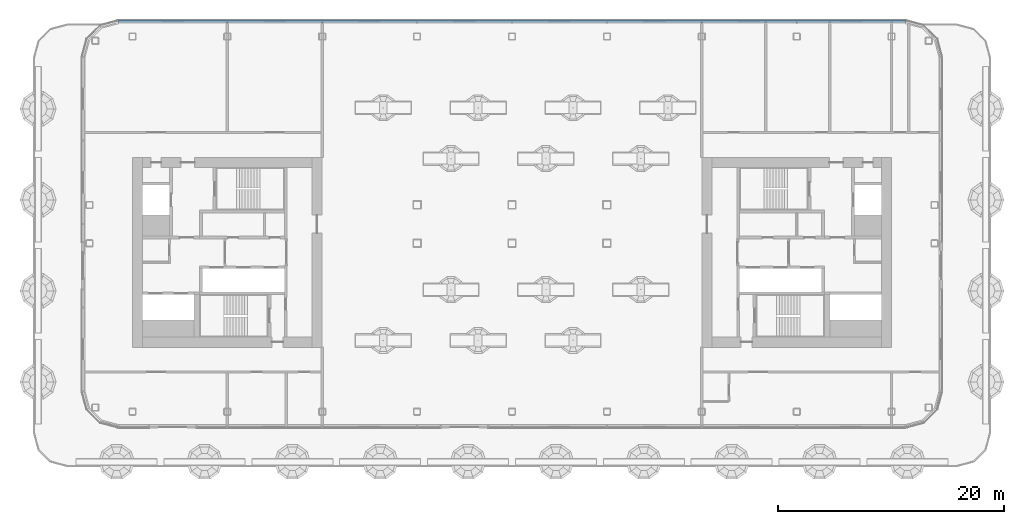
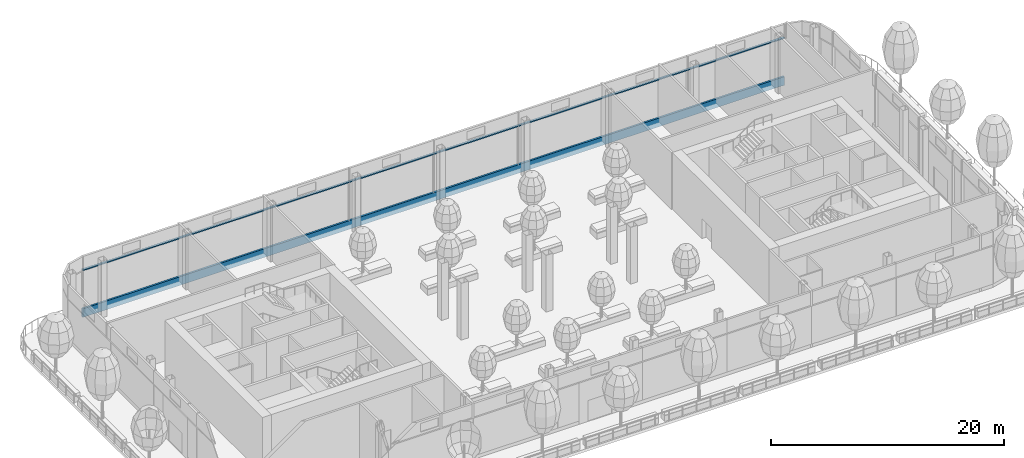
# One storey, part 6 of 41: 2 members, 1 element without a shape of its own.
"""IFC4 building model written with IfcOpenShell, lengths in metres."""

from ifc_helpers import new_model, si_unit, direction, frame, origin, origin_2d, place, context, subcontext, project, spatial, rectangle, extrude, material, layer, layer_set, material_profile, profile_set, type_object, element, aggregate, save


model = new_model("IFC4")

# Units and contexts
model_context = context("Model", 3, precision=1e-05, world=origin(), true_north=direction((0.0, 1.0)))
body_context = subcontext(model_context, "Body", "Model", "MODEL_VIEW")
ifc_project = project(units=[si_unit("LENGTHUNIT", "METRE"), si_unit("AREAUNIT", "SQUARE_METRE"), si_unit("VOLUMEUNIT", "CUBIC_METRE"), si_unit("PLANEANGLEUNIT", "RADIAN"), si_unit("MASSUNIT", "GRAM", prefix="KILO")], contexts=[model_context])

# Site, building, storey
site_placement = place(None, origin())
site = spatial("IfcSite", under=ifc_project, at=site_placement, CompositionType="ELEMENT")
building_placement = place(site_placement, origin())
building = spatial("IfcBuilding", under=site, at=building_placement, Name="Hakoniwa Tower and Hamabe Station Hall", CompositionType="ELEMENT")
storey_placement = place(building_placement, frame((0.0, 0.0, 180.199951171875)))
storey = spatial("IfcBuildingStorey", under=building, at=storey_placement, Name="L51", CompositionType="ELEMENT", Elevation=180.199951171875)

# Curtain wall, members
ifc_material_1 = material(Name="Dark low-e laminated glass", Category="glass")
ifc_layer = layer(ifc_material_1, 0.199951171875)
ifc_layer_set = layer_set([ifc_layer], Name="CW-2 SKY GARDEN")
curtain_wall_type = type_object("IfcCurtainWallType", Name="CW-2 SKY GARDEN", PredefinedType="NOTDEFINED", material=ifc_layer_set)
curtain_wall_placement = place(storey_placement, origin())
curtain_wall = element("IfcCurtainWall", 1, at=curtain_wall_placement, inside=storey, type_object=curtain_wall_type, Name="CW-2 curtain wall", PredefinedType="NOTDEFINED")
ifc_material_2 = material(Name="Aluminium 6063-T5 black anodised", Category="aluminium")
ifc_material_profile_1 = material_profile(ifc_material_2, rectangle(XDim=0.199951171875, YDim=0.1201171875, at=origin_2d()), Name="CW MID TRANSOM 120X200")
ifc_profile_set_1 = profile_set([ifc_material_profile_1], Name="Aluminium 6063-T5 black anodised")
member_type_1 = type_object("IfcMemberType", Name="CW MID TRANSOM 120X200", PredefinedType="USERDEFINED", material=ifc_profile_set_1)
member_1_placement = place(storey_placement, frame((34.839599609375, 20.449951171875, 4.39013671875), z_axis=(-1.0, 0.0, 0.0), x_axis=(0.0, -1.0, 0.0)))
member_1 = element("IfcMember", 2, at=member_1_placement, type_object=member_type_1, Name="CW-2 transom", ObjectType="TRANSOM", PredefinedType="USERDEFINED", context=body_context, shape_type="SweptSolid", body=[
    extrude(rectangle(XDim=0.199951171875, YDim=0.1201171875, at=origin_2d()), origin(), (0.0, 0.0, 1.0), 69.67919921875),
])
ifc_material_3 = material(Name="Aluminium 6063-T5 black anodised", Category="aluminium")
ifc_material_profile_2 = material_profile(ifc_material_3, rectangle(XDim=0.199951171875, YDim=0.89990234375, at=origin_2d()), Name="CW SLAB-EDGE BAND 900X200")
ifc_profile_set_2 = profile_set([ifc_material_profile_2], Name="Aluminium 6063-T5 black anodised")
member_type_2 = type_object("IfcMemberType", Name="CW SLAB-EDGE BAND 900X200", PredefinedType="USERDEFINED", material=ifc_profile_set_2)
member_2_placement = place(storey_placement, frame((34.839599609375, 20.449951171875, -0.099853515625), z_axis=(-1.0, 0.0, 0.0), x_axis=(0.0, -1.0, 0.0)))
member_2 = element("IfcMember", 3, at=member_2_placement, type_object=member_type_2, Name="CW-2 transom", ObjectType="TRANSOM", PredefinedType="USERDEFINED", context=body_context, shape_type="SweptSolid", body=[
    extrude(rectangle(XDim=0.199951171875, YDim=0.89990234375, at=origin_2d()), origin(), (0.0, 0.0, 1.0), 69.67919921875),
])
aggregate(curtain_wall, [member_2, member_1])

save(model, "model.ifc")
